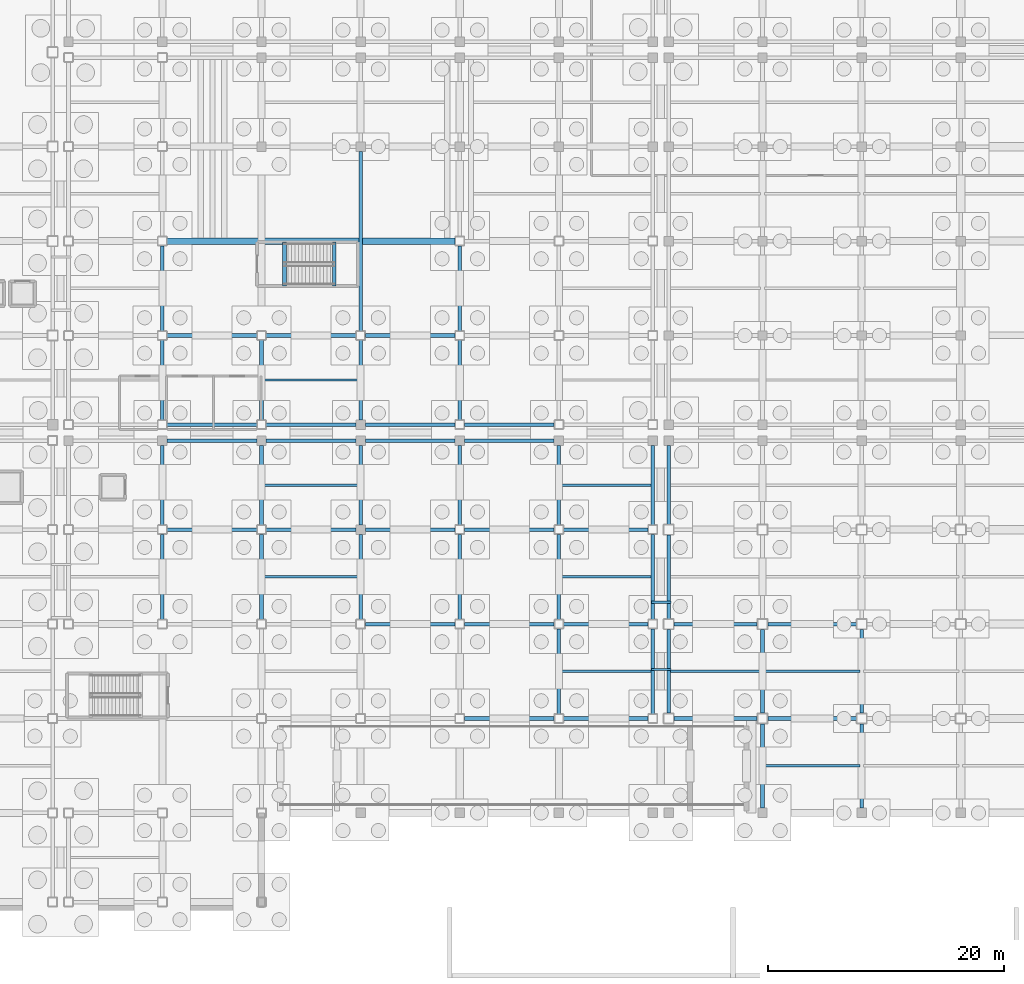
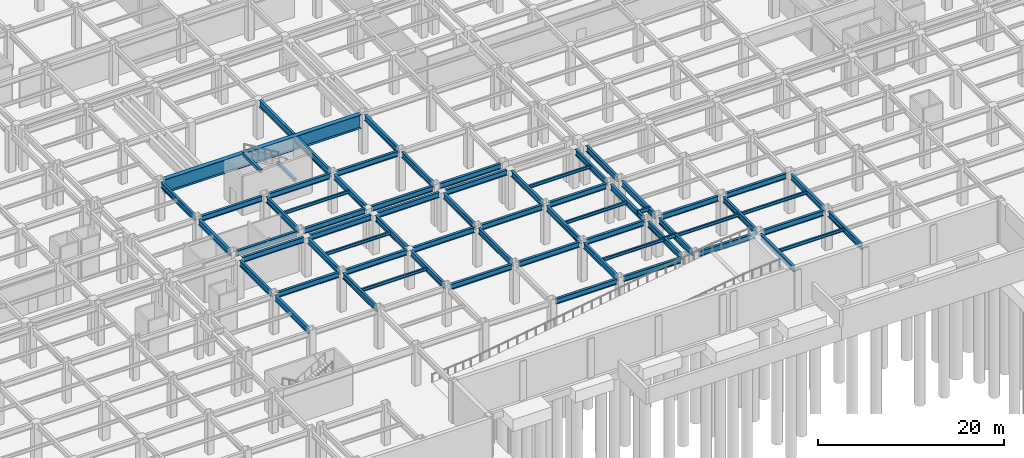
# One storey, part 23 of 55: 67 beams.
"""IFC4 building model written with IfcOpenShell, lengths in metres."""

from ifc_helpers import new_model, si_unit, direction, frame, origin, origin_2d, place, context, subcontext, project, spatial, rectangle, i_section, extrude, material, material_profile, profile_set, type_object, element, save


model = new_model("IFC4")

# Units and contexts
model_context = context("Model", 3, precision=1e-05, world=origin(), true_north=direction((0.0, 1.0)))
body_context = subcontext(model_context, "Body", "Model", "MODEL_VIEW")
ifc_project = project(units=[si_unit("LENGTHUNIT", "METRE"), si_unit("AREAUNIT", "SQUARE_METRE"), si_unit("VOLUMEUNIT", "CUBIC_METRE"), si_unit("PLANEANGLEUNIT", "RADIAN"), si_unit("MASSUNIT", "GRAM", prefix="KILO")], contexts=[model_context])

# Site, building, storey
site_placement = place(None, origin())
site = spatial("IfcSite", under=ifc_project, at=site_placement, CompositionType="ELEMENT")
building_placement = place(site_placement, origin())
building = spatial("IfcBuilding", under=site, at=building_placement, Name="Kazehara Bluff Congress Hotel", CompositionType="ELEMENT")
storey_placement = place(building_placement, frame((0.0, 0.0, -5.39990234375)))
storey = spatial("IfcBuildingStorey", under=building, at=storey_placement, Name="B1", CompositionType="ELEMENT", Elevation=-5.39990234375)

# Beams
ifc_material_1 = material(Name="Steel SN490B", Category="steel")
ifc_material_profile_1 = material_profile(ifc_material_1, i_section(OverallWidth=0.199951171875, OverallDepth=0.5, WebThickness=0.010009765625, FlangeThickness=0.01611328125, FilletRadius=0.012939453125, at=origin_2d()))
ifc_profile_set_1 = profile_set([ifc_material_profile_1], Name="Steel SN490B")
beam_type_1 = type_object("IfcBeamType", Name="TP-G-01", PredefinedType="BEAM", material=ifc_profile_set_1)
for number, where, z_axis, x_axis, name in (
    (1, (109.110107421875, 20.14990234375, 4.869873046875), (1.0, 0.0, 0.0), (0.0, 1.0, 0.0), "Bridge link beam BRG-45 L00-1"),
    (2, (109.110107421875, 25.85009765625, 4.869873046875), (1.0, 0.0, 0.0), (0.0, 1.0, 0.0), "Bridge link beam BRG-45 L00-2"),
):
    element("IfcBeam", number, at=place(storey_placement, frame(where, z_axis=z_axis, x_axis=x_axis)), inside=storey, type_object=beam_type_1, Name=name, PredefinedType="BEAM", context=body_context, shape_type="SweptSolid", body=[
        extrude(i_section(OverallWidth=0.199951171875, OverallDepth=0.5, WebThickness=0.010009765625, FlangeThickness=0.01611328125, FilletRadius=0.012939453125, at=origin_2d()), origin(), (0.0, 0.0, 1.0), 1.6298828125),
    ])
ifc_material_2 = material(Name="Steel SN490B", Category="steel")
ifc_material_profile_2 = material_profile(ifc_material_2, i_section(OverallWidth=0.300048828125, OverallDepth=0.699951171875, WebThickness=0.012939453125, FlangeThickness=0.02392578125, FilletRadius=0.01806640625, at=origin_2d()))
ifc_profile_set_2 = profile_set([ifc_material_profile_2], Name="Steel SN490B")
beam_type_2 = type_object("IfcBeamType", Name="TP-G-04", PredefinedType="BEAM", material=ifc_profile_set_2)
beam_1_placement = place(storey_placement, frame((93.25, 16.0, 4.77001953125), z_axis=(1.0, 0.0, 0.0), x_axis=(0.0, 1.0, 0.0)))
element("IfcBeam", 3, at=beam_1_placement, inside=storey, type_object=beam_type_2, Name="B1 girder G-04 300", PredefinedType="BEAM", context=body_context, shape_type="SweptSolid", body=[
    extrude(i_section(OverallWidth=0.300048828125, OverallDepth=0.699951171875, WebThickness=0.012939453125, FlangeThickness=0.02392578125, FilletRadius=0.01806640625, at=origin_2d()), origin(), (0.0, 0.0, 1.0), 7.60009765625),
])
beam_2_placement = place(storey_placement, frame((101.64990234375, 16.0, 4.77001953125), z_axis=(1.0, 0.0, 0.0), x_axis=(0.0, 1.0, 0.0)))
element("IfcBeam", 4, at=beam_2_placement, inside=storey, type_object=beam_type_2, Name="B1 girder G-04 301", PredefinedType="BEAM", context=body_context, shape_type="SweptSolid", body=[
    extrude(i_section(OverallWidth=0.300048828125, OverallDepth=0.699951171875, WebThickness=0.012939453125, FlangeThickness=0.02392578125, FilletRadius=0.01806640625, at=origin_2d()), origin(), (0.0, 0.0, 1.0), 7.150146484375),
])
beam_3_placement = place(storey_placement, frame((111.0, 16.0, 4.77001953125), z_axis=(1.0, 0.0, 0.0), x_axis=(0.0, 1.0, 0.0)))
element("IfcBeam", 5, at=beam_3_placement, inside=storey, type_object=beam_type_2, Name="B1 girder G-04 302", PredefinedType="BEAM", context=body_context, shape_type="SweptSolid", body=[
    extrude(i_section(OverallWidth=0.300048828125, OverallDepth=0.699951171875, WebThickness=0.012939453125, FlangeThickness=0.02392578125, FilletRadius=0.01806640625, at=origin_2d()), origin(), (0.0, 0.0, 1.0), 7.050048828125),
])
beam_4_placement = place(storey_placement, frame((118.949951171875, 16.0, 4.77001953125), z_axis=(1.0, 0.0, 0.0), x_axis=(0.0, 1.0, 0.0)))
element("IfcBeam", 6, at=beam_4_placement, inside=storey, type_object=beam_type_2, Name="B1 girder G-04 303", PredefinedType="BEAM", context=body_context, shape_type="SweptSolid", body=[
    extrude(i_section(OverallWidth=0.300048828125, OverallDepth=0.699951171875, WebThickness=0.012939453125, FlangeThickness=0.02392578125, FilletRadius=0.01806640625, at=origin_2d()), origin(), (0.0, 0.0, 1.0), 7.5),
])
beam_5_placement = place(storey_placement, frame((84.85009765625, 24.0, 4.77001953125), z_axis=(1.0, 0.0, 0.0), x_axis=(0.0, 1.0, 0.0)))
element("IfcBeam", 7, at=beam_5_placement, inside=storey, type_object=beam_type_2, Name="B1 girder G-04 319", PredefinedType="BEAM", context=body_context, shape_type="SweptSolid", body=[
    extrude(i_section(OverallWidth=0.300048828125, OverallDepth=0.699951171875, WebThickness=0.012939453125, FlangeThickness=0.02392578125, FilletRadius=0.01806640625, at=origin_2d()), origin(), (0.0, 0.0, 1.0), 7.599853515625),
])
beam_6_placement = place(storey_placement, frame((93.25, 24.0, 4.77001953125), z_axis=(1.0, 0.0, 0.0), x_axis=(0.0, 1.0, 0.0)))
element("IfcBeam", 8, at=beam_6_placement, inside=storey, type_object=beam_type_2, Name="B1 girder G-04 320", PredefinedType="BEAM", context=body_context, shape_type="SweptSolid", body=[
    extrude(i_section(OverallWidth=0.300048828125, OverallDepth=0.699951171875, WebThickness=0.012939453125, FlangeThickness=0.02392578125, FilletRadius=0.01806640625, at=origin_2d()), origin(), (0.0, 0.0, 1.0), 7.60009765625),
])
beam_7_placement = place(storey_placement, frame((101.64990234375, 24.0, 4.77001953125), z_axis=(1.0, 0.0, 0.0), x_axis=(0.0, 1.0, 0.0)))
element("IfcBeam", 9, at=beam_7_placement, inside=storey, type_object=beam_type_2, Name="B1 girder G-04 321", PredefinedType="BEAM", context=body_context, shape_type="SweptSolid", body=[
    extrude(i_section(OverallWidth=0.300048828125, OverallDepth=0.699951171875, WebThickness=0.012939453125, FlangeThickness=0.02392578125, FilletRadius=0.01806640625, at=origin_2d()), origin(), (0.0, 0.0, 1.0), 7.150146484375),
])
beam_8_placement = place(storey_placement, frame((111.0, 24.0, 4.77001953125), z_axis=(1.0, 0.0, 0.0), x_axis=(0.0, 1.0, 0.0)))
element("IfcBeam", 10, at=beam_8_placement, inside=storey, type_object=beam_type_2, Name="B1 girder G-04 322", PredefinedType="BEAM", context=body_context, shape_type="SweptSolid", body=[
    extrude(i_section(OverallWidth=0.300048828125, OverallDepth=0.699951171875, WebThickness=0.012939453125, FlangeThickness=0.02392578125, FilletRadius=0.01806640625, at=origin_2d()), origin(), (0.0, 0.0, 1.0), 7.050048828125),
])
beam_9_placement = place(storey_placement, frame((118.949951171875, 24.0, 4.77001953125), z_axis=(1.0, 0.0, 0.0), x_axis=(0.0, 1.0, 0.0)))
element("IfcBeam", 11, at=beam_9_placement, inside=storey, type_object=beam_type_2, Name="B1 girder G-04 323", PredefinedType="BEAM", context=body_context, shape_type="SweptSolid", body=[
    extrude(i_section(OverallWidth=0.300048828125, OverallDepth=0.699951171875, WebThickness=0.012939453125, FlangeThickness=0.02392578125, FilletRadius=0.01806640625, at=origin_2d()), origin(), (0.0, 0.0, 1.0), 7.5),
])
beam_10_placement = place(storey_placement, frame((68.050048828125, 32.0, 4.77001953125), z_axis=(1.0, 0.0, 0.0), x_axis=(0.0, 1.0, 0.0)))
element("IfcBeam", 12, at=beam_10_placement, inside=storey, type_object=beam_type_2, Name="B1 girder G-04 334", PredefinedType="BEAM", context=body_context, shape_type="SweptSolid", body=[
    extrude(i_section(OverallWidth=0.300048828125, OverallDepth=0.699951171875, WebThickness=0.012939453125, FlangeThickness=0.02392578125, FilletRadius=0.01806640625, at=origin_2d()), origin(), (0.0, 0.0, 1.0), 7.599853515625),
])
beam_11_placement = place(storey_placement, frame((76.449951171875, 32.0, 4.77001953125), z_axis=(1.0, 0.0, 0.0), x_axis=(0.0, 1.0, 0.0)))
element("IfcBeam", 13, at=beam_11_placement, inside=storey, type_object=beam_type_2, Name="B1 girder G-04 335", PredefinedType="BEAM", context=body_context, shape_type="SweptSolid", body=[
    extrude(i_section(OverallWidth=0.300048828125, OverallDepth=0.699951171875, WebThickness=0.012939453125, FlangeThickness=0.02392578125, FilletRadius=0.01806640625, at=origin_2d()), origin(), (0.0, 0.0, 1.0), 7.60009765625),
])
beam_12_placement = place(storey_placement, frame((84.85009765625, 32.0, 4.77001953125), z_axis=(1.0, 0.0, 0.0), x_axis=(0.0, 1.0, 0.0)))
element("IfcBeam", 14, at=beam_12_placement, inside=storey, type_object=beam_type_2, Name="B1 girder G-04 336", PredefinedType="BEAM", context=body_context, shape_type="SweptSolid", body=[
    extrude(i_section(OverallWidth=0.300048828125, OverallDepth=0.699951171875, WebThickness=0.012939453125, FlangeThickness=0.02392578125, FilletRadius=0.01806640625, at=origin_2d()), origin(), (0.0, 0.0, 1.0), 7.599853515625),
])
beam_13_placement = place(storey_placement, frame((93.25, 32.0, 4.77001953125), z_axis=(1.0, 0.0, 0.0), x_axis=(0.0, 1.0, 0.0)))
element("IfcBeam", 15, at=beam_13_placement, inside=storey, type_object=beam_type_2, Name="B1 girder G-04 337", PredefinedType="BEAM", context=body_context, shape_type="SweptSolid", body=[
    extrude(i_section(OverallWidth=0.300048828125, OverallDepth=0.699951171875, WebThickness=0.012939453125, FlangeThickness=0.02392578125, FilletRadius=0.01806640625, at=origin_2d()), origin(), (0.0, 0.0, 1.0), 7.60009765625),
])
beam_14_placement = place(storey_placement, frame((101.64990234375, 32.0, 4.77001953125), z_axis=(1.0, 0.0, 0.0), x_axis=(0.0, 1.0, 0.0)))
element("IfcBeam", 16, at=beam_14_placement, inside=storey, type_object=beam_type_2, Name="B1 girder G-04 338", PredefinedType="BEAM", context=body_context, shape_type="SweptSolid", body=[
    extrude(i_section(OverallWidth=0.300048828125, OverallDepth=0.699951171875, WebThickness=0.012939453125, FlangeThickness=0.02392578125, FilletRadius=0.01806640625, at=origin_2d()), origin(), (0.0, 0.0, 1.0), 7.150146484375),
])
beam_15_placement = place(storey_placement, frame((68.050048828125, 39.550048828125, 4.77001953125), z_axis=(1.0, 0.0, 0.0), x_axis=(0.0, 1.0, 0.0)))
element("IfcBeam", 17, at=beam_15_placement, inside=storey, type_object=beam_type_2, Name="B1 girder G-04 351", PredefinedType="BEAM", context=body_context, shape_type="SweptSolid", body=[
    extrude(i_section(OverallWidth=0.300048828125, OverallDepth=0.699951171875, WebThickness=0.012939453125, FlangeThickness=0.02392578125, FilletRadius=0.01806640625, at=origin_2d()), origin(), (0.0, 0.0, 1.0), 7.599853515625),
])
beam_16_placement = place(storey_placement, frame((76.449951171875, 39.550048828125, 4.77001953125), z_axis=(1.0, 0.0, 0.0), x_axis=(0.0, 1.0, 0.0)))
element("IfcBeam", 18, at=beam_16_placement, inside=storey, type_object=beam_type_2, Name="B1 girder G-04 352", PredefinedType="BEAM", context=body_context, shape_type="SweptSolid", body=[
    extrude(i_section(OverallWidth=0.300048828125, OverallDepth=0.699951171875, WebThickness=0.012939453125, FlangeThickness=0.02392578125, FilletRadius=0.01806640625, at=origin_2d()), origin(), (0.0, 0.0, 1.0), 7.60009765625),
])
beam_17_placement = place(storey_placement, frame((84.85009765625, 39.550048828125, 4.77001953125), z_axis=(1.0, 0.0, 0.0), x_axis=(0.0, 1.0, 0.0)))
element("IfcBeam", 19, at=beam_17_placement, inside=storey, type_object=beam_type_2, Name="B1 girder G-04 353", PredefinedType="BEAM", context=body_context, shape_type="SweptSolid", body=[
    extrude(i_section(OverallWidth=0.300048828125, OverallDepth=0.699951171875, WebThickness=0.012939453125, FlangeThickness=0.02392578125, FilletRadius=0.01806640625, at=origin_2d()), origin(), (0.0, 0.0, 1.0), 7.599853515625),
])
beam_18_placement = place(storey_placement, frame((93.25, 39.550048828125, 4.77001953125), z_axis=(1.0, 0.0, 0.0), x_axis=(0.0, 1.0, 0.0)))
element("IfcBeam", 20, at=beam_18_placement, inside=storey, type_object=beam_type_2, Name="B1 girder G-04 354", PredefinedType="BEAM", context=body_context, shape_type="SweptSolid", body=[
    extrude(i_section(OverallWidth=0.300048828125, OverallDepth=0.699951171875, WebThickness=0.012939453125, FlangeThickness=0.02392578125, FilletRadius=0.01806640625, at=origin_2d()), origin(), (0.0, 0.0, 1.0), 7.60009765625),
])
beam_19_placement = place(storey_placement, frame((68.050048828125, 40.89990234375, 4.77001953125), z_axis=(1.0, 0.0, 0.0), x_axis=(0.0, 1.0, 0.0)))
element("IfcBeam", 21, at=beam_19_placement, inside=storey, type_object=beam_type_2, Name="B1 girder G-04 368", PredefinedType="BEAM", context=body_context, shape_type="SweptSolid", body=[
    extrude(i_section(OverallWidth=0.300048828125, OverallDepth=0.699951171875, WebThickness=0.012939453125, FlangeThickness=0.02392578125, FilletRadius=0.01806640625, at=origin_2d()), origin(), (0.0, 0.0, 1.0), 7.599853515625),
])
beam_20_placement = place(storey_placement, frame((76.449951171875, 40.89990234375, 4.77001953125), z_axis=(1.0, 0.0, 0.0), x_axis=(0.0, 1.0, 0.0)))
element("IfcBeam", 22, at=beam_20_placement, inside=storey, type_object=beam_type_2, Name="B1 girder G-04 369", PredefinedType="BEAM", context=body_context, shape_type="SweptSolid", body=[
    extrude(i_section(OverallWidth=0.300048828125, OverallDepth=0.699951171875, WebThickness=0.012939453125, FlangeThickness=0.02392578125, FilletRadius=0.01806640625, at=origin_2d()), origin(), (0.0, 0.0, 1.0), 7.60009765625),
])
beam_21_placement = place(storey_placement, frame((84.85009765625, 40.89990234375, 4.77001953125), z_axis=(1.0, 0.0, 0.0), x_axis=(0.0, 1.0, 0.0)))
element("IfcBeam", 23, at=beam_21_placement, inside=storey, type_object=beam_type_2, Name="B1 girder G-04 370", PredefinedType="BEAM", context=body_context, shape_type="SweptSolid", body=[
    extrude(i_section(OverallWidth=0.300048828125, OverallDepth=0.699951171875, WebThickness=0.012939453125, FlangeThickness=0.02392578125, FilletRadius=0.01806640625, at=origin_2d()), origin(), (0.0, 0.0, 1.0), 7.599853515625),
])
beam_22_placement = place(storey_placement, frame((93.25, 40.89990234375, 4.77001953125), z_axis=(1.0, 0.0, 0.0), x_axis=(0.0, 1.0, 0.0)))
element("IfcBeam", 24, at=beam_22_placement, inside=storey, type_object=beam_type_2, Name="B1 girder G-04 371", PredefinedType="BEAM", context=body_context, shape_type="SweptSolid", body=[
    extrude(i_section(OverallWidth=0.300048828125, OverallDepth=0.699951171875, WebThickness=0.012939453125, FlangeThickness=0.02392578125, FilletRadius=0.01806640625, at=origin_2d()), origin(), (0.0, 0.0, 1.0), 7.60009765625),
])
beam_23_placement = place(storey_placement, frame((68.050048828125, 48.449951171875, 4.77001953125), z_axis=(1.0, 0.0, 0.0), x_axis=(0.0, 1.0, 0.0)))
element("IfcBeam", 25, at=beam_23_placement, inside=storey, type_object=beam_type_2, Name="B1 girder G-04 385", PredefinedType="BEAM", context=body_context, shape_type="SweptSolid", body=[
    extrude(i_section(OverallWidth=0.300048828125, OverallDepth=0.699951171875, WebThickness=0.012939453125, FlangeThickness=0.02392578125, FilletRadius=0.01806640625, at=origin_2d()), origin(), (0.0, 0.0, 1.0), 7.599853515625),
])
beam_24_placement = place(storey_placement, frame((76.449951171875, 48.449951171875, 4.77001953125), z_axis=(1.0, 0.0, 0.0), x_axis=(0.0, 1.0, 0.0)))
element("IfcBeam", 26, at=beam_24_placement, inside=storey, type_object=beam_type_2, Name="B1 girder G-04 386", PredefinedType="BEAM", context=body_context, shape_type="SweptSolid", body=[
    extrude(i_section(OverallWidth=0.300048828125, OverallDepth=0.699951171875, WebThickness=0.012939453125, FlangeThickness=0.02392578125, FilletRadius=0.01806640625, at=origin_2d()), origin(), (0.0, 0.0, 1.0), 7.60009765625),
])
beam_25_placement = place(storey_placement, frame((84.85009765625, 48.449951171875, 4.77001953125), z_axis=(1.0, 0.0, 0.0), x_axis=(0.0, 1.0, 0.0)))
element("IfcBeam", 27, at=beam_25_placement, inside=storey, type_object=beam_type_2, Name="B1 girder G-04 387", PredefinedType="BEAM", context=body_context, shape_type="SweptSolid", body=[
    extrude(i_section(OverallWidth=0.300048828125, OverallDepth=0.699951171875, WebThickness=0.012939453125, FlangeThickness=0.02392578125, FilletRadius=0.01806640625, at=origin_2d()), origin(), (0.0, 0.0, 1.0), 7.599853515625),
])
ifc_material_3 = material(Name="Steel SN490B", Category="steel")
ifc_material_profile_3 = material_profile(ifc_material_3, i_section(OverallWidth=0.300048828125, OverallDepth=0.75, WebThickness=0.012939453125, FlangeThickness=0.02392578125, FilletRadius=0.01806640625, at=origin_2d()))
ifc_profile_set_3 = profile_set([ifc_material_profile_3], Name="Steel SN490B")
beam_type_3 = type_object("IfcBeamType", Name="TP-G-05", PredefinedType="BEAM", material=ifc_profile_set_3)
beam_26_placement = place(storey_placement, frame((67.64990234375, 24.39990234375, 4.744873046875), z_axis=(0.0, 1.0, 0.0), x_axis=(-1.0, 0.0, 0.0)))
element("IfcBeam", 28, at=beam_26_placement, inside=storey, type_object=beam_type_3, Name="B1 girder G-05 116", PredefinedType="BEAM", context=body_context, shape_type="SweptSolid", body=[
    extrude(i_section(OverallWidth=0.300048828125, OverallDepth=0.75, WebThickness=0.012939453125, FlangeThickness=0.02392578125, FilletRadius=0.01806640625, at=origin_2d()), origin(), (0.0, 0.0, 1.0), 7.2001953125),
])
for number, where, z_axis, x_axis, name in (
    (29, (67.64990234375, 32.39990234375, 4.744873046875), (0.0, 1.0, 0.0), (-1.0, 0.0, 0.0), "B1 girder G-05 117"),
    (30, (67.64990234375, 41.300048828125, 4.744873046875), (0.0, 1.0, 0.0), (-1.0, 0.0, 0.0), "B1 girder G-05 118"),
):
    element("IfcBeam", number, at=place(storey_placement, frame(where, z_axis=z_axis, x_axis=x_axis)), inside=storey, type_object=beam_type_3, Name=name, PredefinedType="BEAM", context=body_context, shape_type="SweptSolid", body=[
        extrude(i_section(OverallWidth=0.300048828125, OverallDepth=0.75, WebThickness=0.012939453125, FlangeThickness=0.02392578125, FilletRadius=0.01806640625, at=origin_2d()), origin(), (0.0, 0.0, 1.0), 6.75),
    ])
beam_27_placement = place(storey_placement, frame((67.64990234375, 48.85009765625, 4.744873046875), z_axis=(0.0, 1.0, 0.0), x_axis=(-1.0, 0.0, 0.0)))
element("IfcBeam", 31, at=beam_27_placement, inside=storey, type_object=beam_type_3, Name="B1 girder G-05 119", PredefinedType="BEAM", context=body_context, shape_type="SweptSolid", body=[
    extrude(i_section(OverallWidth=0.300048828125, OverallDepth=0.75, WebThickness=0.012939453125, FlangeThickness=0.02392578125, FilletRadius=0.01806640625, at=origin_2d()), origin(), (0.0, 0.0, 1.0), 7.199951171875),
])
beam_28_placement = place(storey_placement, frame((76.050048828125, 24.39990234375, 4.744873046875), z_axis=(0.0, 1.0, 0.0), x_axis=(-1.0, 0.0, 0.0)))
element("IfcBeam", 32, at=beam_28_placement, inside=storey, type_object=beam_type_3, Name="B1 girder G-05 129", PredefinedType="BEAM", context=body_context, shape_type="SweptSolid", body=[
    extrude(i_section(OverallWidth=0.300048828125, OverallDepth=0.75, WebThickness=0.012939453125, FlangeThickness=0.02392578125, FilletRadius=0.01806640625, at=origin_2d()), origin(), (0.0, 0.0, 1.0), 7.2001953125),
])
for number, where, z_axis, x_axis, name in (
    (33, (76.050048828125, 32.39990234375, 4.744873046875), (0.0, 1.0, 0.0), (-1.0, 0.0, 0.0), "B1 girder G-05 130"),
    (34, (76.050048828125, 41.300048828125, 4.744873046875), (0.0, 1.0, 0.0), (-1.0, 0.0, 0.0), "B1 girder G-05 131"),
):
    element("IfcBeam", number, at=place(storey_placement, frame(where, z_axis=z_axis, x_axis=x_axis)), inside=storey, type_object=beam_type_3, Name=name, PredefinedType="BEAM", context=body_context, shape_type="SweptSolid", body=[
        extrude(i_section(OverallWidth=0.300048828125, OverallDepth=0.75, WebThickness=0.012939453125, FlangeThickness=0.02392578125, FilletRadius=0.01806640625, at=origin_2d()), origin(), (0.0, 0.0, 1.0), 6.75),
    ])
beam_29_placement = place(storey_placement, frame((84.449951171875, 24.39990234375, 4.744873046875), z_axis=(0.0, 1.0, 0.0), x_axis=(-1.0, 0.0, 0.0)))
element("IfcBeam", 35, at=beam_29_placement, inside=storey, type_object=beam_type_3, Name="B1 girder G-05 140", PredefinedType="BEAM", context=body_context, shape_type="SweptSolid", body=[
    extrude(i_section(OverallWidth=0.300048828125, OverallDepth=0.75, WebThickness=0.012939453125, FlangeThickness=0.02392578125, FilletRadius=0.01806640625, at=origin_2d()), origin(), (0.0, 0.0, 1.0), 7.2001953125),
])
for number, where, z_axis, x_axis, name in (
    (36, (84.449951171875, 32.39990234375, 4.744873046875), (0.0, 1.0, 0.0), (-1.0, 0.0, 0.0), "B1 girder G-05 141"),
    (37, (84.449951171875, 41.300048828125, 4.744873046875), (0.0, 1.0, 0.0), (-1.0, 0.0, 0.0), "B1 girder G-05 142"),
):
    element("IfcBeam", number, at=place(storey_placement, frame(where, z_axis=z_axis, x_axis=x_axis)), inside=storey, type_object=beam_type_3, Name=name, PredefinedType="BEAM", context=body_context, shape_type="SweptSolid", body=[
        extrude(i_section(OverallWidth=0.300048828125, OverallDepth=0.75, WebThickness=0.012939453125, FlangeThickness=0.02392578125, FilletRadius=0.01806640625, at=origin_2d()), origin(), (0.0, 0.0, 1.0), 6.75),
    ])
beam_30_placement = place(storey_placement, frame((92.85009765625, 24.39990234375, 4.744873046875), z_axis=(0.0, 1.0, 0.0), x_axis=(-1.0, 0.0, 0.0)))
element("IfcBeam", 38, at=beam_30_placement, inside=storey, type_object=beam_type_3, Name="B1 girder G-05 151", PredefinedType="BEAM", context=body_context, shape_type="SweptSolid", body=[
    extrude(i_section(OverallWidth=0.300048828125, OverallDepth=0.75, WebThickness=0.012939453125, FlangeThickness=0.02392578125, FilletRadius=0.01806640625, at=origin_2d()), origin(), (0.0, 0.0, 1.0), 7.2001953125),
])
for number, where, z_axis, x_axis, name in (
    (39, (92.85009765625, 32.39990234375, 4.744873046875), (0.0, 1.0, 0.0), (-1.0, 0.0, 0.0), "B1 girder G-05 152"),
    (40, (92.85009765625, 41.300048828125, 4.744873046875), (0.0, 1.0, 0.0), (-1.0, 0.0, 0.0), "B1 girder G-05 153"),
):
    element("IfcBeam", number, at=place(storey_placement, frame(where, z_axis=z_axis, x_axis=x_axis)), inside=storey, type_object=beam_type_3, Name=name, PredefinedType="BEAM", context=body_context, shape_type="SweptSolid", body=[
        extrude(i_section(OverallWidth=0.300048828125, OverallDepth=0.75, WebThickness=0.012939453125, FlangeThickness=0.02392578125, FilletRadius=0.01806640625, at=origin_2d()), origin(), (0.0, 0.0, 1.0), 6.75),
    ])
beam_31_placement = place(storey_placement, frame((92.85009765625, 48.85009765625, 4.744873046875), z_axis=(0.0, 1.0, 0.0), x_axis=(-1.0, 0.0, 0.0)))
element("IfcBeam", 41, at=beam_31_placement, inside=storey, type_object=beam_type_3, Name="B1 girder G-05 154", PredefinedType="BEAM", context=body_context, shape_type="SweptSolid", body=[
    extrude(i_section(OverallWidth=0.300048828125, OverallDepth=0.75, WebThickness=0.012939453125, FlangeThickness=0.02392578125, FilletRadius=0.01806640625, at=origin_2d()), origin(), (0.0, 0.0, 1.0), 7.199951171875),
])
for number, where, z_axis, x_axis, name in (
    (42, (101.25, 16.39990234375, 4.744873046875), (0.0, 1.0, 0.0), (-1.0, 0.0, 0.0), "B1 girder G-05 162"),
    (43, (101.25, 24.39990234375, 4.744873046875), (0.0, 1.0, 0.0), (-1.0, 0.0, 0.0), "B1 girder G-05 163"),
):
    element("IfcBeam", number, at=place(storey_placement, frame(where, z_axis=z_axis, x_axis=x_axis)), inside=storey, type_object=beam_type_3, Name=name, PredefinedType="BEAM", context=body_context, shape_type="SweptSolid", body=[
        extrude(i_section(OverallWidth=0.300048828125, OverallDepth=0.75, WebThickness=0.012939453125, FlangeThickness=0.02392578125, FilletRadius=0.01806640625, at=origin_2d()), origin(), (0.0, 0.0, 1.0), 7.2001953125),
    ])
beam_32_placement = place(storey_placement, frame((101.25, 32.39990234375, 4.744873046875), z_axis=(0.0, 1.0, 0.0), x_axis=(-1.0, 0.0, 0.0)))
element("IfcBeam", 44, at=beam_32_placement, inside=storey, type_object=beam_type_3, Name="B1 girder G-05 164", PredefinedType="BEAM", context=body_context, shape_type="SweptSolid", body=[
    extrude(i_section(OverallWidth=0.300048828125, OverallDepth=0.75, WebThickness=0.012939453125, FlangeThickness=0.02392578125, FilletRadius=0.01806640625, at=origin_2d()), origin(), (0.0, 0.0, 1.0), 6.75),
])
for number, where, z_axis, x_axis, name in (
    (45, (109.199951171875, 16.39990234375, 4.744873046875), (0.0, 1.0, 0.0), (-1.0, 0.0, 0.0), "B1 girder G-05 172"),
    (46, (109.199951171875, 24.39990234375, 4.744873046875), (0.0, 1.0, 0.0), (-1.0, 0.0, 0.0), "B1 girder G-05 173"),
):
    element("IfcBeam", number, at=place(storey_placement, frame(where, z_axis=z_axis, x_axis=x_axis)), inside=storey, type_object=beam_type_3, Name=name, PredefinedType="BEAM", context=body_context, shape_type="SweptSolid", body=[
        extrude(i_section(OverallWidth=0.300048828125, OverallDepth=0.75, WebThickness=0.012939453125, FlangeThickness=0.02392578125, FilletRadius=0.01806640625, at=origin_2d()), origin(), (0.0, 0.0, 1.0), 7.2001953125),
    ])
beam_33_placement = place(storey_placement, frame((109.199951171875, 32.39990234375, 4.744873046875), z_axis=(0.0, 1.0, 0.0), x_axis=(-1.0, 0.0, 0.0)))
element("IfcBeam", 47, at=beam_33_placement, inside=storey, type_object=beam_type_3, Name="B1 girder G-05 174", PredefinedType="BEAM", context=body_context, shape_type="SweptSolid", body=[
    extrude(i_section(OverallWidth=0.300048828125, OverallDepth=0.75, WebThickness=0.012939453125, FlangeThickness=0.02392578125, FilletRadius=0.01806640625, at=origin_2d()), origin(), (0.0, 0.0, 1.0), 6.75),
])
for number, where, z_axis, x_axis, name in (
    (48, (110.550048828125, 16.449951171875, 4.744873046875), (0.0, 1.0, 0.0), (-1.0, 0.0, 0.0), "B1 girder G-05 182"),
    (49, (110.550048828125, 24.449951171875, 4.744873046875), (0.0, 1.0, 0.0), (-1.0, 0.0, 0.0), "B1 girder G-05 183"),
):
    element("IfcBeam", number, at=place(storey_placement, frame(where, z_axis=z_axis, x_axis=x_axis)), inside=storey, type_object=beam_type_3, Name=name, PredefinedType="BEAM", context=body_context, shape_type="SweptSolid", body=[
        extrude(i_section(OverallWidth=0.300048828125, OverallDepth=0.75, WebThickness=0.012939453125, FlangeThickness=0.02392578125, FilletRadius=0.01806640625, at=origin_2d()), origin(), (0.0, 0.0, 1.0), 7.10009765625),
    ])
beam_34_placement = place(storey_placement, frame((110.550048828125, 32.449951171875, 4.744873046875), z_axis=(0.0, 1.0, 0.0), x_axis=(-1.0, 0.0, 0.0)))
element("IfcBeam", 50, at=beam_34_placement, inside=storey, type_object=beam_type_3, Name="B1 girder G-05 184", PredefinedType="BEAM", context=body_context, shape_type="SweptSolid", body=[
    extrude(i_section(OverallWidth=0.300048828125, OverallDepth=0.75, WebThickness=0.012939453125, FlangeThickness=0.02392578125, FilletRadius=0.01806640625, at=origin_2d()), origin(), (0.0, 0.0, 1.0), 6.699951171875),
])
beam_35_placement = place(storey_placement, frame((118.5, 8.39990234375, 4.744873046875), z_axis=(0.0, 1.0, 0.0), x_axis=(-1.0, 0.0, 0.0)))
element("IfcBeam", 51, at=beam_35_placement, inside=storey, type_object=beam_type_3, Name="B1 girder G-05 192", PredefinedType="BEAM", context=body_context, shape_type="SweptSolid", body=[
    extrude(i_section(OverallWidth=0.300048828125, OverallDepth=0.75, WebThickness=0.012939453125, FlangeThickness=0.02392578125, FilletRadius=0.01806640625, at=origin_2d()), origin(), (0.0, 0.0, 1.0), 7.150146484375),
])
beam_36_placement = place(storey_placement, frame((118.5, 16.449951171875, 4.744873046875), z_axis=(0.0, 1.0, 0.0), x_axis=(-1.0, 0.0, 0.0)))
element("IfcBeam", 52, at=beam_36_placement, inside=storey, type_object=beam_type_3, Name="B1 girder G-05 193", PredefinedType="BEAM", context=body_context, shape_type="SweptSolid", body=[
    extrude(i_section(OverallWidth=0.300048828125, OverallDepth=0.75, WebThickness=0.012939453125, FlangeThickness=0.02392578125, FilletRadius=0.01806640625, at=origin_2d()), origin(), (0.0, 0.0, 1.0), 7.10009765625),
])
beam_37_placement = place(storey_placement, frame((126.89990234375, 8.39990234375, 4.744873046875), z_axis=(0.0, 1.0, 0.0), x_axis=(-1.0, 0.0, 0.0)))
element("IfcBeam", 53, at=beam_37_placement, inside=storey, type_object=beam_type_3, Name="B1 girder G-05 203", PredefinedType="BEAM", context=body_context, shape_type="SweptSolid", body=[
    extrude(i_section(OverallWidth=0.300048828125, OverallDepth=0.75, WebThickness=0.012939453125, FlangeThickness=0.02392578125, FilletRadius=0.01806640625, at=origin_2d()), origin(), (0.0, 0.0, 1.0), 7.150146484375),
])
beam_38_placement = place(storey_placement, frame((126.89990234375, 16.449951171875, 4.744873046875), z_axis=(0.0, 1.0, 0.0), x_axis=(-1.0, 0.0, 0.0)))
element("IfcBeam", 54, at=beam_38_placement, inside=storey, type_object=beam_type_3, Name="B1 girder G-05 204", PredefinedType="BEAM", context=body_context, shape_type="SweptSolid", body=[
    extrude(i_section(OverallWidth=0.300048828125, OverallDepth=0.75, WebThickness=0.012939453125, FlangeThickness=0.02392578125, FilletRadius=0.01806640625, at=origin_2d()), origin(), (0.0, 0.0, 1.0), 7.10009765625),
])
ifc_material_4 = material(Name="Steel SN490B", Category="steel")
ifc_material_profile_4 = material_profile(ifc_material_4, i_section(OverallWidth=0.300048828125, OverallDepth=0.89990234375, WebThickness=0.01611328125, FlangeThickness=0.028076171875, FilletRadius=0.01806640625, at=origin_2d()))
ifc_profile_set_4 = profile_set([ifc_material_profile_4], Name="Steel SN490B")
beam_type_4 = type_object("IfcBeamType", Name="TP-G-08", PredefinedType="BEAM", material=ifc_profile_set_4)
beam_39_placement = place(storey_placement, frame((84.449951171875, 48.85009765625, 4.669921875), z_axis=(0.0, 1.0, 0.0), x_axis=(-1.0, 0.0, 0.0)))
element("IfcBeam", 55, at=beam_39_placement, inside=storey, type_object=beam_type_4, Name="B1 girder G-08 143", PredefinedType="BEAM", context=body_context, shape_type="SweptSolid", body=[
    extrude(i_section(OverallWidth=0.300048828125, OverallDepth=0.89990234375, WebThickness=0.01611328125, FlangeThickness=0.028076171875, FilletRadius=0.01806640625, at=origin_2d()), origin(), (0.0, 0.0, 1.0), 15.199951171875),
])
ifc_material_5 = material(Name="Steel SN490B", Category="steel")
ifc_material_profile_5 = material_profile(ifc_material_5, i_section(OverallWidth=0.550048828125, OverallDepth=1.800048828125, WebThickness=0.02392578125, FlangeThickness=0.0380859375, at=origin_2d()))
ifc_profile_set_5 = profile_set([ifc_material_profile_5], Name="Steel SN490B")
beam_type_5 = type_object("IfcBeamType", Name="TP-G-14", PredefinedType="BEAM", material=ifc_profile_set_5)
beam_40_placement = place(storey_placement, frame((68.050048828125, 56.449951171875, 4.219970703125), z_axis=(1.0, 0.0, 0.0), x_axis=(0.0, 1.0, 0.0)))
element("IfcBeam", 56, at=beam_40_placement, inside=storey, type_object=beam_type_5, Name="B1 girder G-14 403", PredefinedType="BEAM", context=body_context, shape_type="SweptSolid", body=[
    extrude(i_section(OverallWidth=0.550048828125, OverallDepth=1.800048828125, WebThickness=0.02392578125, FlangeThickness=0.0380859375, at=origin_2d()), origin(), (0.0, 0.0, 1.0), 24.39990234375),
])
ifc_material_6 = material(Name="Steel SN400B", Category="steel")
ifc_material_profile_6 = material_profile(ifc_material_6, i_section(OverallWidth=0.199951171875, OverallDepth=0.39990234375, WebThickness=0.008056640625, FlangeThickness=0.012939453125, FilletRadius=0.012939453125, at=origin_2d()))
ifc_profile_set_6 = profile_set([ifc_material_profile_6], Name="Steel SN400B")
beam_type_6 = type_object("IfcBeamType", Name="TP-J-03", PredefinedType="JOIST", material=ifc_profile_set_6)
for number, where, z_axis, x_axis, name in (
    (57, (76.199951171875, 28.0, 4.919921875), (1.0, 0.0, 0.0), (0.0, 1.0, 0.0), "B1 secondary joist J-03 70"),
    (58, (76.199951171875, 35.77490234375, 4.919921875), (1.0, 0.0, 0.0), (0.0, 1.0, 0.0), "B1 secondary joist J-03 71"),
    (59, (76.199951171875, 44.675048828125, 4.919921875), (1.0, 0.0, 0.0), (0.0, 1.0, 0.0), "B1 secondary joist J-03 72"),
):
    element("IfcBeam", number, at=place(storey_placement, frame(where, z_axis=z_axis, x_axis=x_axis)), inside=storey, type_object=beam_type_6, Name=name, PredefinedType="JOIST", context=body_context, shape_type="SweptSolid", body=[
        extrude(i_section(OverallWidth=0.199951171875, OverallDepth=0.39990234375, WebThickness=0.008056640625, FlangeThickness=0.012939453125, FilletRadius=0.012939453125, at=origin_2d()), origin(), (0.0, 0.0, 1.0), 8.10009765625),
    ])
for number, where, z_axis, x_axis, name in (
    (60, (101.39990234375, 20.0, 4.919921875), (1.0, 0.0, 0.0), (0.0, 1.0, 0.0), "B1 secondary joist J-03 82"),
    (61, (101.39990234375, 28.0, 4.919921875), (1.0, 0.0, 0.0), (0.0, 1.0, 0.0), "B1 secondary joist J-03 83"),
    (62, (101.39990234375, 35.77490234375, 4.919921875), (1.0, 0.0, 0.0), (0.0, 1.0, 0.0), "B1 secondary joist J-03 84"),
    (63, (110.699951171875, 20.0, 4.919921875), (1.0, 0.0, 0.0), (0.0, 1.0, 0.0), "B1 secondary joist J-03 92"),
):
    element("IfcBeam", number, at=place(storey_placement, frame(where, z_axis=z_axis, x_axis=x_axis)), inside=storey, type_object=beam_type_6, Name=name, PredefinedType="JOIST", context=body_context, shape_type="SweptSolid", body=[
        extrude(i_section(OverallWidth=0.199951171875, OverallDepth=0.39990234375, WebThickness=0.008056640625, FlangeThickness=0.012939453125, FilletRadius=0.012939453125, at=origin_2d()), origin(), (0.0, 0.0, 1.0), 7.650146484375),
    ])
for number, where, z_axis, x_axis, name in (
    (64, (118.64990234375, 12.0, 4.919921875), (1.0, 0.0, 0.0), (0.0, 1.0, 0.0), "B1 secondary joist J-03 102"),
    (65, (118.64990234375, 20.0, 4.919921875), (1.0, 0.0, 0.0), (0.0, 1.0, 0.0), "B1 secondary joist J-03 103"),
):
    element("IfcBeam", number, at=place(storey_placement, frame(where, z_axis=z_axis, x_axis=x_axis)), inside=storey, type_object=beam_type_6, Name=name, PredefinedType="JOIST", context=body_context, shape_type="SweptSolid", body=[
        extrude(i_section(OverallWidth=0.199951171875, OverallDepth=0.39990234375, WebThickness=0.008056640625, FlangeThickness=0.012939453125, FilletRadius=0.012939453125, at=origin_2d()), origin(), (0.0, 0.0, 1.0), 8.10009765625),
    ])
ifc_material_7 = material(Name="Concrete C40/50", Category="concrete")
ifc_material_profile_7 = material_profile(ifc_material_7, rectangle(XDim=0.300048828125, YDim=0.39990234375, at=origin_2d()))
ifc_profile_set_7 = profile_set([ifc_material_profile_7], Name="Concrete C40/50")
beam_type_7 = type_object("IfcBeamType", Name="TP-LN-02", PredefinedType="LINTEL", material=ifc_profile_set_7)
for number, where, z_axis, x_axis, name in (
    (66, (82.199951171875, 52.625, 2.31982421875), (0.0, 1.0, 0.0), (-1.0, 0.0, 0.0), "B1 ST-09 half-landing support beam 1"),
    (67, (78.0, 52.625, 4.93994140625), (0.0, 1.0, 0.0), (-1.0, 0.0, 0.0), "L00 ST-09 stairwell trimmer beam"),
):
    element("IfcBeam", number, at=place(storey_placement, frame(where, z_axis=z_axis, x_axis=x_axis)), inside=storey, type_object=beam_type_7, Name=name, PredefinedType="LINTEL", context=body_context, shape_type="SweptSolid", body=[
        extrude(rectangle(XDim=0.300048828125, YDim=0.39990234375, at=origin_2d()), origin(), (0.0, 0.0, 1.0), 3.75),
    ])

save(model, "model.ifc")
